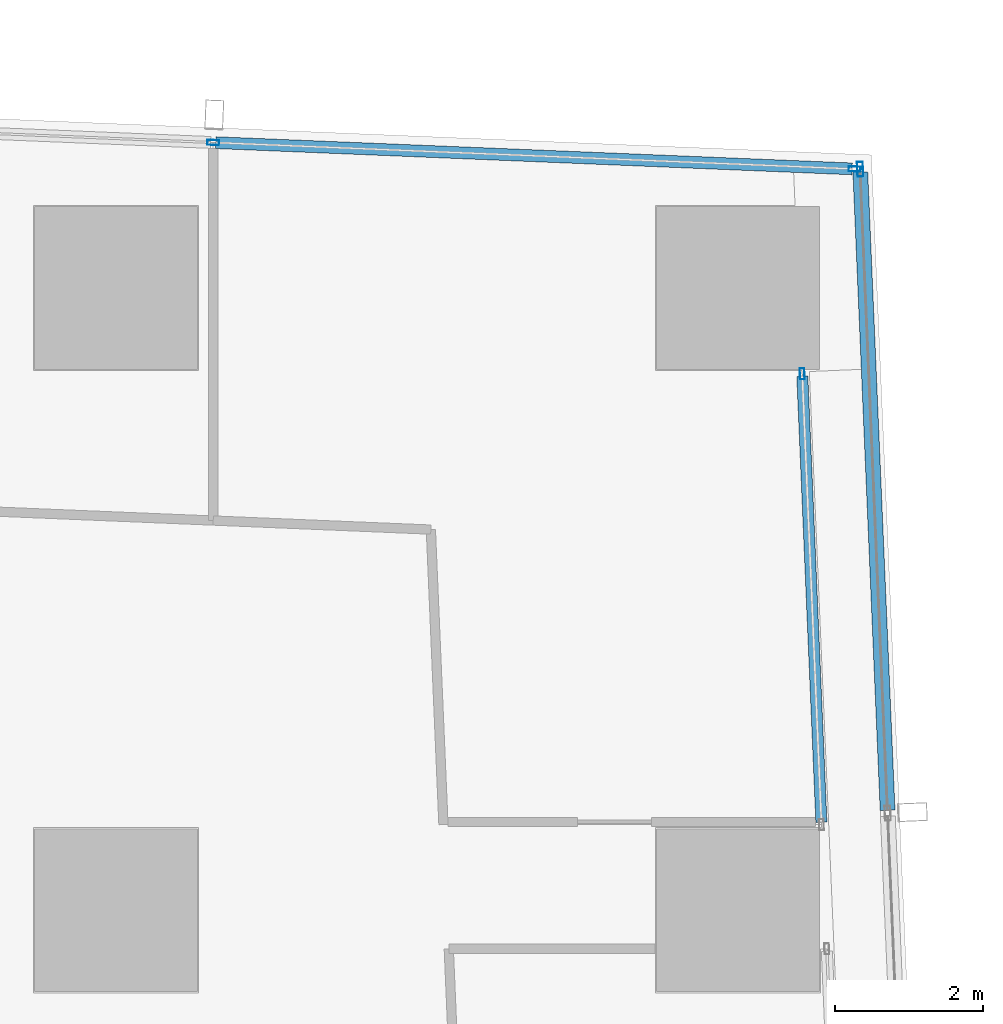
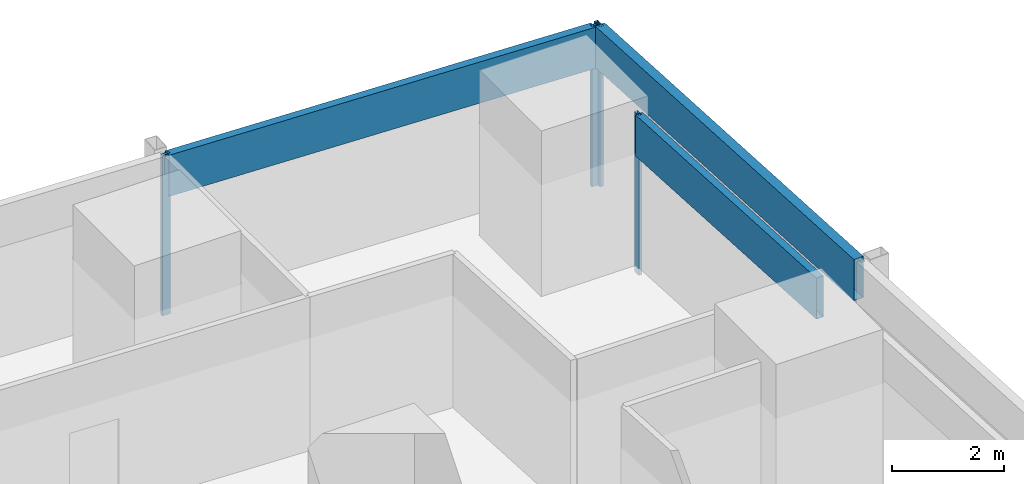
# One storey, part 23 of 44: 7 members, 3 elements without a shape of their own.
"""IFC4 building model written with IfcOpenShell, lengths in metres."""

from ifc_helpers import new_model, si_unit, direction, frame, origin, origin_2d, place, context, subcontext, project, spatial, hollow_rectangle, extrude, material, material_profile, profile_set, type_object, element, aggregate, save


model = new_model("IFC4")

# Units and contexts
model_context = context("Model", 3, precision=1e-05, world=origin(), true_north=direction((0.0, 1.0)))
body_context = subcontext(model_context, "Body", "Model", "MODEL_VIEW")
ifc_project = project(units=[si_unit("LENGTHUNIT", "METRE"), si_unit("AREAUNIT", "SQUARE_METRE"), si_unit("VOLUMEUNIT", "CUBIC_METRE"), si_unit("PLANEANGLEUNIT", "RADIAN"), si_unit("MASSUNIT", "GRAM", prefix="KILO")], contexts=[model_context])

# Site, building, storey
site_placement = place(None, origin())
site = spatial("IfcSite", under=ifc_project, at=site_placement, CompositionType="ELEMENT")
building_placement = place(site_placement, origin())
building = spatial("IfcBuilding", under=site, at=building_placement, Name="Rekha Terrace Tower", CompositionType="ELEMENT")
storey_placement = place(building_placement, frame((0.0, 0.0, 59.14990234375)))
storey = spatial("IfcBuildingStorey", under=building, at=storey_placement, Name="L14", CompositionType="ELEMENT", Elevation=59.14990234375)

# Curtain wall, members
ifc_material_1 = material(Name="Aluminium framing", Category="aluminium")
curtain_wall_type_1 = type_object("IfcCurtainWallType", Name="CW1 double skin inner glazing", PredefinedType="USERDEFINED", material=ifc_material_1)
curtain_wall_1_placement = place(storey_placement, origin())
curtain_wall_1 = element("IfcCurtainWall", 1, at=curtain_wall_1_placement, inside=storey, type_object=curtain_wall_type_1, Name="CW1 double skin inner glazing", ObjectType="DOUBLE SKIN INNER GLAZING", PredefinedType="USERDEFINED")
ifc_material_2 = material(Name="Aluminium mullion section", Category="aluminium")
ifc_material_profile_1 = material_profile(ifc_material_2, hollow_rectangle(XDim=0.06494140625, YDim=0.14990234375, WallThickness=0.00390625, at=origin_2d()), Name="AL RHS 65x150")
ifc_profile_set_1 = profile_set([ifc_material_profile_1], Name="Aluminium mullion section")
member_type_1 = type_object("IfcMemberType", Name="CW1 mullion RHS 65 x 150", PredefinedType="MULLION", material=ifc_profile_set_1)
member_1_placement = place(storey_placement, frame((68.0654296875, 57.6435546875, 0.0), z_axis=(0.0, 0.0, 1.0), x_axis=(-0.9990881069, -0.042696073026, 0.0)))
member_1 = element("IfcMember", 2, at=member_1_placement, type_object=member_type_1, Name="CW1 mullion 2", PredefinedType="MULLION", context=body_context, shape_type="SweptSolid", body=[
    extrude(hollow_rectangle(XDim=0.06494140625, YDim=0.14990234375, WallThickness=0.00390625, at=origin_2d()), origin(), (0.0, 0.0, 1.0), 3.5),
])
ifc_material_3 = material(Name="Insulated aluminium spandrel box", Category="aluminium")
ifc_material_profile_2 = material_profile(ifc_material_3, hollow_rectangle(XDim=0.14990234375, YDim=0.89990234375, WallThickness=0.0029296875, at=origin_2d()), Name="AL SPANDREL BOX 150x900")
ifc_profile_set_2 = profile_set([ifc_material_profile_2], Name="Insulated aluminium spandrel box")
member_type_2 = type_object("IfcMemberType", Name="CW1 spandrel transom 150 x 900", PredefinedType="USERDEFINED", material=ifc_profile_set_2)
member_2_placement = place(storey_placement, frame((68.32421875, 51.5888671875, 3.050048828125), z_axis=(-0.042730627731, 0.999086629604, 0.0), x_axis=(-0.999086629604, -0.042730627731, 0.0)))
member_2 = element("IfcMember", 3, at=member_2_placement, type_object=member_type_2, Name="CW1 spandrel transom 1", ObjectType="TRANSOM", PredefinedType="USERDEFINED", context=body_context, shape_type="SweptSolid", body=[
    extrude(hollow_rectangle(XDim=0.14990234375, YDim=0.89990234375, WallThickness=0.0029296875, at=origin_2d()), origin(), (0.0, 0.0, 1.0), 6.02783203125),
])
aggregate(curtain_wall_1, [member_1, member_2])

curtain_wall_type_2 = type_object("IfcCurtainWallType", Name="CW2 double skin outer glazing", PredefinedType="USERDEFINED", material=ifc_material_1)
curtain_wall_2_placement = place(storey_placement, origin())
curtain_wall_2 = element("IfcCurtainWall", 4, at=curtain_wall_2_placement, inside=storey, type_object=curtain_wall_type_2, Name="CW2 double skin outer glazing", ObjectType="DOUBLE SKIN OUTER GLAZING", PredefinedType="USERDEFINED")
ifc_material_profile_3 = material_profile(ifc_material_2, hollow_rectangle(XDim=0.080078125, YDim=0.199951171875, WallThickness=0.00390625, at=origin_2d()), Name="AL RHS 80x200")
ifc_profile_set_3 = profile_set([ifc_material_profile_3], Name="Aluminium mullion section")
member_type_3 = type_object("IfcMemberType", Name="CW2 mullion RHS 80 x 200", PredefinedType="MULLION", material=ifc_profile_set_3)
member_3_placement = place(storey_placement, frame((68.84814453125, 60.40625, 0.0), z_axis=(0.0, 0.0, 1.0), x_axis=(-0.999088106903, -0.042696072956, 0.0)))
member_3 = element("IfcMember", 5, at=member_3_placement, type_object=member_type_3, Name="CW2 mullion 5", PredefinedType="MULLION", context=body_context, shape_type="SweptSolid", body=[
    extrude(hollow_rectangle(XDim=0.080078125, YDim=0.199951171875, WallThickness=0.00390625, at=origin_2d()), origin(), (0.0, 0.0, 1.0), 3.5),
])
ifc_material_profile_4 = material_profile(ifc_material_3, hollow_rectangle(XDim=0.199951171875, YDim=0.89990234375, WallThickness=0.0029296875, at=origin_2d()), Name="AL SPANDREL BOX 200x900")
ifc_profile_set_4 = profile_set([ifc_material_profile_4], Name="Insulated aluminium spandrel box")
member_type_4 = type_object("IfcMemberType", Name="CW2 spandrel transom 200 x 900", PredefinedType="USERDEFINED", material=ifc_profile_set_4)
member_4_placement = place(storey_placement, frame((69.218017578125, 51.750244140625, 3.050048828125), z_axis=(-0.042691483974, 0.999088303002, 0.0), x_axis=(-0.999088303002, -0.042691483974, 0.0)))
member_4 = element("IfcMember", 6, at=member_4_placement, type_object=member_type_4, Name="CW2 spandrel transom 4", ObjectType="TRANSOM", PredefinedType="USERDEFINED", context=body_context, shape_type="SweptSolid", body=[
    extrude(hollow_rectangle(XDim=0.199951171875, YDim=0.89990234375, WallThickness=0.0029296875, at=origin_2d()), origin(), (0.0, 0.0, 1.0), 8.623779296875),
])
aggregate(curtain_wall_2, [member_3, member_4])

curtain_wall_type_3 = type_object("IfcCurtainWallType", Name="CW3 north unitised glazing", PredefinedType="USERDEFINED", material=ifc_material_1)
curtain_wall_3_placement = place(storey_placement, origin())
curtain_wall_3 = element("IfcCurtainWall", 7, at=curtain_wall_3_placement, inside=storey, type_object=curtain_wall_type_3, Name="CW3 unitised curtain wall", ObjectType="UNITISED CURTAIN WALL", PredefinedType="USERDEFINED")
ifc_material_profile_5 = material_profile(ifc_material_2, hollow_rectangle(XDim=0.070068359375, YDim=0.159912109375, WallThickness=0.00390625, at=origin_2d()), Name="AL RHS 70x160")
ifc_profile_set_5 = profile_set([ifc_material_profile_5], Name="Aluminium mullion section")
member_type_5 = type_object("IfcMemberType", Name="CW3 mullion RHS 70 x 160", PredefinedType="MULLION", material=ifc_profile_set_5)
member_5_placement = place(storey_placement, frame((68.77294921875, 60.4091796875, 0.0), z_axis=(0.0, 0.0, 1.0), x_axis=(-0.041173846041, -0.999151997647, 0.0)))
member_5 = element("IfcMember", 8, at=member_5_placement, type_object=member_type_5, Name="CW3 mullion 1", PredefinedType="MULLION", context=body_context, shape_type="SweptSolid", body=[
    extrude(hollow_rectangle(XDim=0.070068359375, YDim=0.159912109375, WallThickness=0.00390625, at=origin_2d()), origin(), (0.0, 0.0, 1.0), 3.5),
])
member_6_placement = place(storey_placement, frame((60.111572265625, 60.76611328125, 0.0), z_axis=(0.0, 0.0, 1.0), x_axis=(-0.041173846041, -0.999151997647, 0.0)))
member_6 = element("IfcMember", 9, at=member_6_placement, type_object=member_type_5, Name="CW3 mullion 2", PredefinedType="MULLION", context=body_context, shape_type="SweptSolid", body=[
    extrude(hollow_rectangle(XDim=0.070068359375, YDim=0.159912109375, WallThickness=0.00390625, at=origin_2d()), origin(), (0.0, 0.0, 1.0), 3.5),
])
ifc_material_profile_6 = material_profile(ifc_material_3, hollow_rectangle(XDim=0.159912109375, YDim=0.89990234375, WallThickness=0.0029296875, at=origin_2d()), Name="AL SPANDREL BOX 160x900")
ifc_profile_set_6 = profile_set([ifc_material_profile_6], Name="Insulated aluminium spandrel box")
member_type_6 = type_object("IfcMemberType", Name="CW3 spandrel transom 160 x 900", PredefinedType="USERDEFINED", material=ifc_profile_set_6)
member_7_placement = place(storey_placement, frame((68.738037109375, 60.41064453125, 3.050048828125), z_axis=(-0.99915220621, 0.041168784604, 0.0), x_axis=(-0.041168784604, -0.99915220621, 0.0)))
member_7 = element("IfcMember", 10, at=member_7_placement, type_object=member_type_6, Name="CW3 spandrel transom 1", ObjectType="TRANSOM", PredefinedType="USERDEFINED", context=body_context, shape_type="SweptSolid", body=[
    extrude(hollow_rectangle(XDim=0.159912109375, YDim=0.89990234375, WallThickness=0.0029296875, at=origin_2d()), origin(), (0.0, 0.0, 1.0), 8.598876953125),
])
aggregate(curtain_wall_3, [member_5, member_6, member_7])

save(model, "model.ifc")
